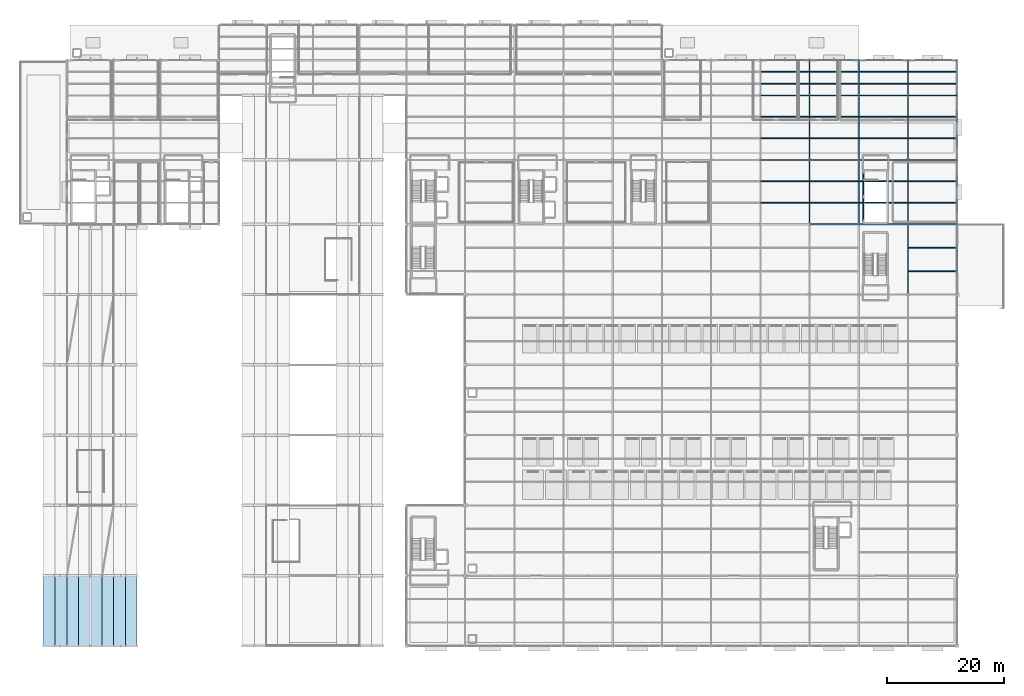
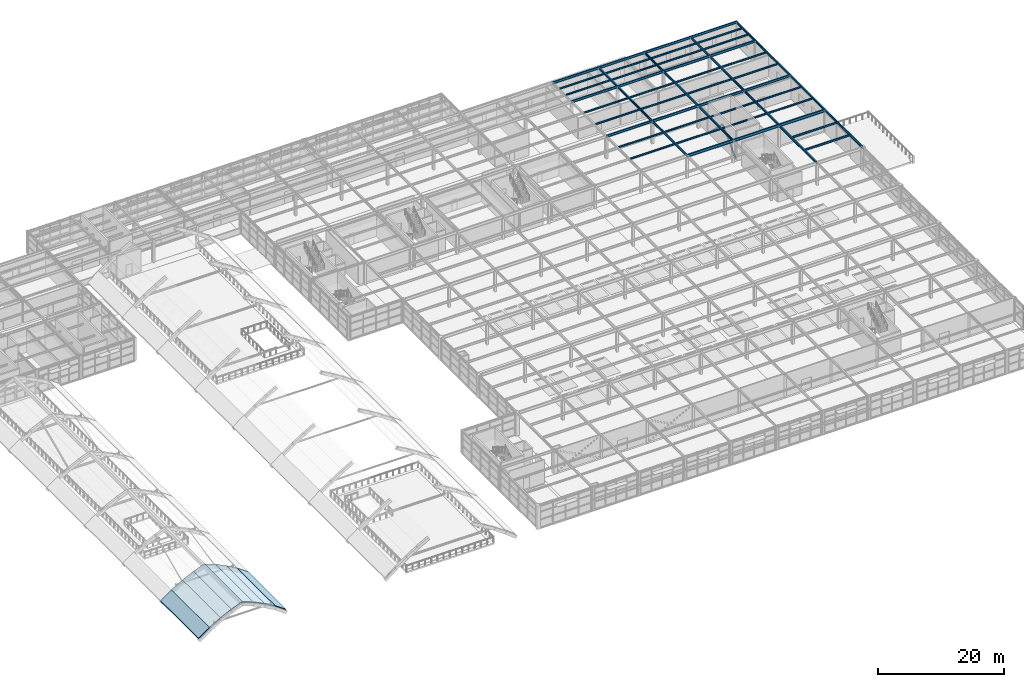
# One storey, part 43 of 82: 55 beams, 8 slabs, 2 members.
"""IFC4 building model written with IfcOpenShell, lengths in metres."""

from ifc_helpers import new_model, si_unit, direction, frame, origin, origin_2d, place, context, subcontext, project, spatial, polyline, hollow_circle, i_section, outline, extrude, material, layer, layer_set, material_profile, profile_set, type_object, element, save


model = new_model("IFC4")

# Units and contexts
model_context = context("Model", 3, precision=1e-05, world=origin(), true_north=direction((0.0, 1.0)))
body_context = subcontext(model_context, "Body", "Model", "MODEL_VIEW")
ifc_project = project(units=[si_unit("LENGTHUNIT", "METRE"), si_unit("AREAUNIT", "SQUARE_METRE"), si_unit("VOLUMEUNIT", "CUBIC_METRE"), si_unit("PLANEANGLEUNIT", "RADIAN"), si_unit("MASSUNIT", "GRAM", prefix="KILO")], contexts=[model_context])

# Site, building, storey
site_placement = place(None, origin())
site = spatial("IfcSite", under=ifc_project, at=site_placement, CompositionType="ELEMENT")
building_placement = place(site_placement, origin())
building = spatial("IfcBuilding", under=site, at=building_placement, Name="Sitalva Quay Ferry Terminal", CompositionType="ELEMENT")
storey_placement = place(building_placement, frame((0.0, 0.0, 5.39990234375)))
storey = spatial("IfcBuildingStorey", under=building, at=storey_placement, Name="L02", CompositionType="ELEMENT", Elevation=5.39990234375)

# Beams
ifc_material_1 = material(Name="Structural Steel S355JR", Category="steel")
ifc_material_profile_1 = material_profile(ifc_material_1, i_section(OverallWidth=0.180908203125, OverallDepth=0.4169921875, WebThickness=0.010986328125, FlangeThickness=0.018310546875, FilletRadius=0.012939453125, at=origin_2d()), Name="W410x85")
ifc_profile_set_1 = profile_set([ifc_material_profile_1], Name="Structural Steel S355JR")
beam_type_1 = type_object("IfcBeamType", Name="Beam_W410x85", PredefinedType="BEAM", material=ifc_profile_set_1)
for number, where, z_axis, x_axis, name in (
    (1, (142.800048828125, 78.0, 4.24169921875), (0.0, 1.0, 0.0), (-1.0, 0.0, 0.0), "L02 Primary Y girder 1087"),
    (2, (142.800048828125, 89.0, 4.24169921875), (0.0, 1.0, 0.0), (-1.0, 0.0, 0.0), "L02 Primary Y girder 1088"),
):
    element("IfcBeam", number, at=place(storey_placement, frame(where, z_axis=z_axis, x_axis=x_axis)), inside=storey, type_object=beam_type_1, Name=name, PredefinedType="BEAM", context=body_context, shape_type="SweptSolid", body=[
        extrude(i_section(OverallWidth=0.180908203125, OverallDepth=0.4169921875, WebThickness=0.010986328125, FlangeThickness=0.018310546875, FilletRadius=0.012939453125, at=origin_2d()), origin(), (0.0, 0.0, 1.0), 11.0),
    ])
beam_1_placement = place(storey_placement, frame((142.800048828125, 100.0, 4.24169921875), z_axis=(0.0, 1.0, 0.0), x_axis=(-1.0, 0.0, 0.0)))
element("IfcBeam", 3, at=beam_1_placement, inside=storey, type_object=beam_type_1, Name="L02 Primary Y girder 1089", PredefinedType="BEAM", context=body_context, shape_type="SweptSolid", body=[
    extrude(i_section(OverallWidth=0.180908203125, OverallDepth=0.4169921875, WebThickness=0.010986328125, FlangeThickness=0.018310546875, FilletRadius=0.012939453125, at=origin_2d()), origin(), (0.0, 0.0, 1.0), 6.0),
])
for number, where, z_axis, x_axis, name in (
    (4, (151.199951171875, 78.0, 4.24169921875), (0.0, 1.0, 0.0), (-1.0, 0.0, 0.0), "L02 Primary Y girder 1090"),
    (5, (151.199951171875, 89.0, 4.24169921875), (0.0, 1.0, 0.0), (-1.0, 0.0, 0.0), "L02 Primary Y girder 1091"),
):
    element("IfcBeam", number, at=place(storey_placement, frame(where, z_axis=z_axis, x_axis=x_axis)), inside=storey, type_object=beam_type_1, Name=name, PredefinedType="BEAM", context=body_context, shape_type="SweptSolid", body=[
        extrude(i_section(OverallWidth=0.180908203125, OverallDepth=0.4169921875, WebThickness=0.010986328125, FlangeThickness=0.018310546875, FilletRadius=0.012939453125, at=origin_2d()), origin(), (0.0, 0.0, 1.0), 11.0),
    ])
beam_2_placement = place(storey_placement, frame((151.199951171875, 100.0, 4.24169921875), z_axis=(0.0, 1.0, 0.0), x_axis=(-1.0, 0.0, 0.0)))
element("IfcBeam", 6, at=beam_2_placement, inside=storey, type_object=beam_type_1, Name="L02 Primary Y girder 1092", PredefinedType="BEAM", context=body_context, shape_type="SweptSolid", body=[
    extrude(i_section(OverallWidth=0.180908203125, OverallDepth=0.4169921875, WebThickness=0.010986328125, FlangeThickness=0.018310546875, FilletRadius=0.012939453125, at=origin_2d()), origin(), (0.0, 0.0, 1.0), 6.0),
])
for number, where, z_axis, x_axis, name in (
    (7, (159.60009765625, 78.0, 4.24169921875), (0.0, 1.0, 0.0), (-1.0, 0.0, 0.0), "L02 Primary Y girder 1093"),
    (8, (159.60009765625, 89.0, 4.24169921875), (0.0, 1.0, 0.0), (-1.0, 0.0, 0.0), "L02 Primary Y girder 1094"),
):
    element("IfcBeam", number, at=place(storey_placement, frame(where, z_axis=z_axis, x_axis=x_axis)), inside=storey, type_object=beam_type_1, Name=name, PredefinedType="BEAM", context=body_context, shape_type="SweptSolid", body=[
        extrude(i_section(OverallWidth=0.180908203125, OverallDepth=0.4169921875, WebThickness=0.010986328125, FlangeThickness=0.018310546875, FilletRadius=0.012939453125, at=origin_2d()), origin(), (0.0, 0.0, 1.0), 11.0),
    ])
beam_3_placement = place(storey_placement, frame((159.60009765625, 100.0, 4.24169921875), z_axis=(0.0, 1.0, 0.0), x_axis=(-1.0, 0.0, 0.0)))
element("IfcBeam", 9, at=beam_3_placement, inside=storey, type_object=beam_type_1, Name="L02 Primary Y girder 1095", PredefinedType="BEAM", context=body_context, shape_type="SweptSolid", body=[
    extrude(i_section(OverallWidth=0.180908203125, OverallDepth=0.4169921875, WebThickness=0.010986328125, FlangeThickness=0.018310546875, FilletRadius=0.012939453125, at=origin_2d()), origin(), (0.0, 0.0, 1.0), 6.0),
])
for number, where, z_axis, x_axis, name in (
    (10, (168.0, 78.0, 4.24169921875), (0.0, 1.0, 0.0), (-1.0, 0.0, 0.0), "L02 Primary Y girder 1096"),
    (11, (168.0, 89.0, 4.24169921875), (0.0, 1.0, 0.0), (-1.0, 0.0, 0.0), "L02 Primary Y girder 1097"),
):
    element("IfcBeam", number, at=place(storey_placement, frame(where, z_axis=z_axis, x_axis=x_axis)), inside=storey, type_object=beam_type_1, Name=name, PredefinedType="BEAM", context=body_context, shape_type="SweptSolid", body=[
        extrude(i_section(OverallWidth=0.180908203125, OverallDepth=0.4169921875, WebThickness=0.010986328125, FlangeThickness=0.018310546875, FilletRadius=0.012939453125, at=origin_2d()), origin(), (0.0, 0.0, 1.0), 11.0),
    ])
beam_4_placement = place(storey_placement, frame((168.0, 100.0, 4.24169921875), z_axis=(0.0, 1.0, 0.0), x_axis=(-1.0, 0.0, 0.0)))
element("IfcBeam", 12, at=beam_4_placement, inside=storey, type_object=beam_type_1, Name="L02 Primary Y girder 1098", PredefinedType="BEAM", context=body_context, shape_type="SweptSolid", body=[
    extrude(i_section(OverallWidth=0.180908203125, OverallDepth=0.4169921875, WebThickness=0.010986328125, FlangeThickness=0.018310546875, FilletRadius=0.012939453125, at=origin_2d()), origin(), (0.0, 0.0, 1.0), 6.0),
])
ifc_material_2 = material(Name="Structural Steel S355JR", Category="steel")
ifc_material_profile_2 = material_profile(ifc_material_2, i_section(OverallWidth=0.19091796875, OverallDepth=0.4599609375, WebThickness=0.010009765625, FlangeThickness=0.01611328125, FilletRadius=0.013916015625, at=origin_2d()), Name="W460x82")
ifc_profile_set_2 = profile_set([ifc_material_profile_2], Name="Structural Steel S355JR")
beam_type_2 = type_object("IfcBeamType", Name="Beam_W460x82", PredefinedType="BEAM", material=ifc_profile_set_2)
for number, where, z_axis, x_axis, name in (
    (13, (159.60009765625, 66.0, 4.22021484375), (0.0, 1.0, 0.0), (-1.0, 0.0, 0.0), "L02 Primary Y girder 0856"),
    (14, (168.0, 66.0, 4.22021484375), (0.0, 1.0, 0.0), (-1.0, 0.0, 0.0), "L02 Primary Y girder 0861"),
):
    element("IfcBeam", number, at=place(storey_placement, frame(where, z_axis=z_axis, x_axis=x_axis)), inside=storey, type_object=beam_type_2, Name=name, PredefinedType="BEAM", context=body_context, shape_type="SweptSolid", body=[
        extrude(i_section(OverallWidth=0.19091796875, OverallDepth=0.4599609375, WebThickness=0.010009765625, FlangeThickness=0.01611328125, FilletRadius=0.013916015625, at=origin_2d()), origin(), (0.0, 0.0, 1.0), 12.0),
    ])
beam_5_placement = place(storey_placement, frame((134.39990234375, 89.0, 4.22021484375), z_axis=(1.0, 0.0, 0.0), x_axis=(0.0, 1.0, 0.0)))
element("IfcBeam", 15, at=beam_5_placement, inside=storey, type_object=beam_type_2, Name="L02 Primary X girder 1070", PredefinedType="BEAM", context=body_context, shape_type="SweptSolid", body=[
    extrude(i_section(OverallWidth=0.19091796875, OverallDepth=0.4599609375, WebThickness=0.010009765625, FlangeThickness=0.01611328125, FilletRadius=0.013916015625, at=origin_2d()), origin(), (0.0, 0.0, 1.0), 8.400146484375),
])
beam_6_placement = place(storey_placement, frame((142.800048828125, 89.0, 4.22021484375), z_axis=(1.0, 0.0, 0.0), x_axis=(0.0, 1.0, 0.0)))
element("IfcBeam", 16, at=beam_6_placement, inside=storey, type_object=beam_type_2, Name="L02 Primary X girder 1071", PredefinedType="BEAM", context=body_context, shape_type="SweptSolid", body=[
    extrude(i_section(OverallWidth=0.19091796875, OverallDepth=0.4599609375, WebThickness=0.010009765625, FlangeThickness=0.01611328125, FilletRadius=0.013916015625, at=origin_2d()), origin(), (0.0, 0.0, 1.0), 8.39990234375),
])
beam_7_placement = place(storey_placement, frame((151.199951171875, 89.0, 4.22021484375), z_axis=(1.0, 0.0, 0.0), x_axis=(0.0, 1.0, 0.0)))
element("IfcBeam", 17, at=beam_7_placement, inside=storey, type_object=beam_type_2, Name="L02 Primary X girder 1072", PredefinedType="BEAM", context=body_context, shape_type="SweptSolid", body=[
    extrude(i_section(OverallWidth=0.19091796875, OverallDepth=0.4599609375, WebThickness=0.010009765625, FlangeThickness=0.01611328125, FilletRadius=0.013916015625, at=origin_2d()), origin(), (0.0, 0.0, 1.0), 8.400146484375),
])
beam_8_placement = place(storey_placement, frame((159.60009765625, 89.0, 4.22021484375), z_axis=(1.0, 0.0, 0.0), x_axis=(0.0, 1.0, 0.0)))
element("IfcBeam", 18, at=beam_8_placement, inside=storey, type_object=beam_type_2, Name="L02 Primary X girder 1073", PredefinedType="BEAM", context=body_context, shape_type="SweptSolid", body=[
    extrude(i_section(OverallWidth=0.19091796875, OverallDepth=0.4599609375, WebThickness=0.010009765625, FlangeThickness=0.01611328125, FilletRadius=0.013916015625, at=origin_2d()), origin(), (0.0, 0.0, 1.0), 8.39990234375),
])
beam_9_placement = place(storey_placement, frame((134.39990234375, 100.0, 4.22021484375), z_axis=(1.0, 0.0, 0.0), x_axis=(0.0, 1.0, 0.0)))
element("IfcBeam", 19, at=beam_9_placement, inside=storey, type_object=beam_type_2, Name="L02 Primary X girder 1075", PredefinedType="BEAM", context=body_context, shape_type="SweptSolid", body=[
    extrude(i_section(OverallWidth=0.19091796875, OverallDepth=0.4599609375, WebThickness=0.010009765625, FlangeThickness=0.01611328125, FilletRadius=0.013916015625, at=origin_2d()), origin(), (0.0, 0.0, 1.0), 8.400146484375),
])
beam_10_placement = place(storey_placement, frame((142.800048828125, 100.0, 4.22021484375), z_axis=(1.0, 0.0, 0.0), x_axis=(0.0, 1.0, 0.0)))
element("IfcBeam", 20, at=beam_10_placement, inside=storey, type_object=beam_type_2, Name="L02 Primary X girder 1076", PredefinedType="BEAM", context=body_context, shape_type="SweptSolid", body=[
    extrude(i_section(OverallWidth=0.19091796875, OverallDepth=0.4599609375, WebThickness=0.010009765625, FlangeThickness=0.01611328125, FilletRadius=0.013916015625, at=origin_2d()), origin(), (0.0, 0.0, 1.0), 8.39990234375),
])
beam_11_placement = place(storey_placement, frame((151.199951171875, 100.0, 4.22021484375), z_axis=(1.0, 0.0, 0.0), x_axis=(0.0, 1.0, 0.0)))
element("IfcBeam", 21, at=beam_11_placement, inside=storey, type_object=beam_type_2, Name="L02 Primary X girder 1077", PredefinedType="BEAM", context=body_context, shape_type="SweptSolid", body=[
    extrude(i_section(OverallWidth=0.19091796875, OverallDepth=0.4599609375, WebThickness=0.010009765625, FlangeThickness=0.01611328125, FilletRadius=0.013916015625, at=origin_2d()), origin(), (0.0, 0.0, 1.0), 8.400146484375),
])
beam_12_placement = place(storey_placement, frame((159.60009765625, 100.0, 4.22021484375), z_axis=(1.0, 0.0, 0.0), x_axis=(0.0, 1.0, 0.0)))
element("IfcBeam", 22, at=beam_12_placement, inside=storey, type_object=beam_type_2, Name="L02 Primary X girder 1078", PredefinedType="BEAM", context=body_context, shape_type="SweptSolid", body=[
    extrude(i_section(OverallWidth=0.19091796875, OverallDepth=0.4599609375, WebThickness=0.010009765625, FlangeThickness=0.01611328125, FilletRadius=0.013916015625, at=origin_2d()), origin(), (0.0, 0.0, 1.0), 8.39990234375),
])
beam_13_placement = place(storey_placement, frame((134.39990234375, 106.0, 4.22021484375), z_axis=(1.0, 0.0, 0.0), x_axis=(0.0, 1.0, 0.0)))
element("IfcBeam", 23, at=beam_13_placement, inside=storey, type_object=beam_type_2, Name="L02 Primary X girder 1080", PredefinedType="BEAM", context=body_context, shape_type="SweptSolid", body=[
    extrude(i_section(OverallWidth=0.19091796875, OverallDepth=0.4599609375, WebThickness=0.010009765625, FlangeThickness=0.01611328125, FilletRadius=0.013916015625, at=origin_2d()), origin(), (0.0, 0.0, 1.0), 8.400146484375),
])
beam_14_placement = place(storey_placement, frame((142.800048828125, 106.0, 4.22021484375), z_axis=(1.0, 0.0, 0.0), x_axis=(0.0, 1.0, 0.0)))
element("IfcBeam", 24, at=beam_14_placement, inside=storey, type_object=beam_type_2, Name="L02 Primary X girder 1081", PredefinedType="BEAM", context=body_context, shape_type="SweptSolid", body=[
    extrude(i_section(OverallWidth=0.19091796875, OverallDepth=0.4599609375, WebThickness=0.010009765625, FlangeThickness=0.01611328125, FilletRadius=0.013916015625, at=origin_2d()), origin(), (0.0, 0.0, 1.0), 8.39990234375),
])
beam_15_placement = place(storey_placement, frame((151.199951171875, 106.0, 4.22021484375), z_axis=(1.0, 0.0, 0.0), x_axis=(0.0, 1.0, 0.0)))
element("IfcBeam", 25, at=beam_15_placement, inside=storey, type_object=beam_type_2, Name="L02 Primary X girder 1082", PredefinedType="BEAM", context=body_context, shape_type="SweptSolid", body=[
    extrude(i_section(OverallWidth=0.19091796875, OverallDepth=0.4599609375, WebThickness=0.010009765625, FlangeThickness=0.01611328125, FilletRadius=0.013916015625, at=origin_2d()), origin(), (0.0, 0.0, 1.0), 8.400146484375),
])
beam_16_placement = place(storey_placement, frame((159.60009765625, 106.0, 4.22021484375), z_axis=(1.0, 0.0, 0.0), x_axis=(0.0, 1.0, 0.0)))
element("IfcBeam", 26, at=beam_16_placement, inside=storey, type_object=beam_type_2, Name="L02 Primary X girder 1083", PredefinedType="BEAM", context=body_context, shape_type="SweptSolid", body=[
    extrude(i_section(OverallWidth=0.19091796875, OverallDepth=0.4599609375, WebThickness=0.010009765625, FlangeThickness=0.01611328125, FilletRadius=0.013916015625, at=origin_2d()), origin(), (0.0, 0.0, 1.0), 8.39990234375),
])

# Members
ifc_material_3 = material(Name="Structural Steel S355JR", Category="steel")
ifc_material_profile_3 = material_profile(ifc_material_3, hollow_circle(Radius=0.136474609375, WallThickness=0.010009765625, at=origin_2d()), Name="CHS273x10")
ifc_profile_set_3 = profile_set([ifc_material_profile_3], Name="Structural Steel S355JR")
member_type = type_object("IfcMemberType", Name="Brace_CHS273x10", PredefinedType="BRACE", material=ifc_profile_set_3)
for number, where, z_axis, x_axis, name in (
    (27, (152.0, 78.550048828125, 0.150146484375), (0.0, 0.713101275811, 0.701061031891), (-1.0, 0.0, 0.0), "Braced frame BF4 L02 chevron A"),
    (28, (152.0, 82.699951171875, 4.22998046875), (0.0, 0.713121893765, -0.701040059221), (-1.0, 0.0, 0.0), "Braced frame BF4 L02 chevron B"),
):
    element("IfcMember", number, at=place(storey_placement, frame(where, z_axis=z_axis, x_axis=x_axis)), inside=storey, type_object=member_type, Name=name, PredefinedType="BRACE", context=body_context, shape_type="SweptSolid", body=[
        extrude(hollow_circle(Radius=0.136474609375, WallThickness=0.010009765625, at=origin_2d()), origin(), (0.0, 0.0, 1.0), 5.819580078125),
    ])

# Beams
ifc_material_4 = material(Name="Structural Steel S355JR", Category="steel")
ifc_material_profile_4 = material_profile(ifc_material_4, i_section(OverallWidth=0.2119140625, OverallDepth=0.5439453125, WebThickness=0.01318359375, FlangeThickness=0.021240234375, FilletRadius=0.014892578125, at=origin_2d()), Name="W530x123")
ifc_profile_set_4 = profile_set([ifc_material_profile_4], Name="Structural Steel S355JR")
beam_type_3 = type_object("IfcBeamType", Name="Girder_W530x123", PredefinedType="USERDEFINED", material=ifc_profile_set_4)
beam_17_placement = place(storey_placement, frame((142.800048828125, 78.0, 4.177978515625), z_axis=(1.0, 0.0, 0.0), x_axis=(0.0, 1.0, 0.0)))
element("IfcBeam", 29, at=beam_17_placement, inside=storey, type_object=beam_type_3, Name="L02 Primary X girder 0806", ObjectType="GIRDER", PredefinedType="USERDEFINED", context=body_context, shape_type="SweptSolid", body=[
    extrude(i_section(OverallWidth=0.2119140625, OverallDepth=0.5439453125, WebThickness=0.01318359375, FlangeThickness=0.021240234375, FilletRadius=0.014892578125, at=origin_2d()), origin(), (0.0, 0.0, 1.0), 8.39990234375),
])
beam_18_placement = place(storey_placement, frame((151.199951171875, 78.0, 4.177978515625), z_axis=(1.0, 0.0, 0.0), x_axis=(0.0, 1.0, 0.0)))
element("IfcBeam", 30, at=beam_18_placement, inside=storey, type_object=beam_type_3, Name="L02 Primary X girder 0807", ObjectType="GIRDER", PredefinedType="USERDEFINED", context=body_context, shape_type="SweptSolid", body=[
    extrude(i_section(OverallWidth=0.2119140625, OverallDepth=0.5439453125, WebThickness=0.01318359375, FlangeThickness=0.021240234375, FilletRadius=0.014892578125, at=origin_2d()), origin(), (0.0, 0.0, 1.0), 8.400146484375),
])
beam_19_placement = place(storey_placement, frame((159.60009765625, 78.0, 4.177978515625), z_axis=(1.0, 0.0, 0.0), x_axis=(0.0, 1.0, 0.0)))
element("IfcBeam", 31, at=beam_19_placement, inside=storey, type_object=beam_type_3, Name="L02 Primary X girder 0808", ObjectType="GIRDER", PredefinedType="USERDEFINED", context=body_context, shape_type="SweptSolid", body=[
    extrude(i_section(OverallWidth=0.2119140625, OverallDepth=0.5439453125, WebThickness=0.01318359375, FlangeThickness=0.021240234375, FilletRadius=0.014892578125, at=origin_2d()), origin(), (0.0, 0.0, 1.0), 8.39990234375),
])
ifc_material_5 = material(Name="Structural Steel S355JR", Category="steel")
ifc_material_profile_5 = material_profile(ifc_material_5, i_section(OverallWidth=0.166015625, OverallDepth=0.31298828125, WebThickness=0.006591796875, FlangeThickness=0.01123046875, FilletRadius=0.010986328125, at=origin_2d()), Name="W310x45")
ifc_profile_set_5 = profile_set([ifc_material_profile_5], Name="Structural Steel S355JR")
beam_type_4 = type_object("IfcBeamType", Name="Joist_W310x45", PredefinedType="JOIST", material=ifc_profile_set_5)
beam_20_placement = place(storey_placement, frame((134.490478515625, 81.666748046875, 4.293701171875), z_axis=(1.0, 0.0, 0.0), x_axis=(0.0, 1.0, 0.0)))
element("IfcBeam", 32, at=beam_20_placement, inside=storey, type_object=beam_type_4, Name="L02 Secondary joist 1100", PredefinedType="JOIST", context=body_context, shape_type="SweptSolid", body=[
    extrude(i_section(OverallWidth=0.166015625, OverallDepth=0.31298828125, WebThickness=0.006591796875, FlangeThickness=0.01123046875, FilletRadius=0.010986328125, at=origin_2d()), origin(), (0.0, 0.0, 1.0), 8.218994140625),
])
beam_21_placement = place(storey_placement, frame((142.890380859375, 81.666748046875, 4.293701171875), z_axis=(1.0, 0.0, 0.0), x_axis=(0.0, 1.0, 0.0)))
element("IfcBeam", 33, at=beam_21_placement, inside=storey, type_object=beam_type_4, Name="L02 Secondary joist 1101", PredefinedType="JOIST", context=body_context, shape_type="SweptSolid", body=[
    extrude(i_section(OverallWidth=0.166015625, OverallDepth=0.31298828125, WebThickness=0.006591796875, FlangeThickness=0.01123046875, FilletRadius=0.010986328125, at=origin_2d()), origin(), (0.0, 0.0, 1.0), 8.21923828125),
])
for number, where, z_axis, x_axis, name in (
    (34, (151.29052734375, 81.666748046875, 4.293701171875), (1.0, 0.0, 0.0), (0.0, 1.0, 0.0), "L02 Secondary joist 1102"),
    (35, (159.6904296875, 81.666748046875, 4.293701171875), (1.0, 0.0, 0.0), (0.0, 1.0, 0.0), "L02 Secondary joist 1103"),
    (36, (134.490478515625, 85.333251953125, 4.293701171875), (1.0, 0.0, 0.0), (0.0, 1.0, 0.0), "L02 Secondary joist 1105"),
):
    element("IfcBeam", number, at=place(storey_placement, frame(where, z_axis=z_axis, x_axis=x_axis)), inside=storey, type_object=beam_type_4, Name=name, PredefinedType="JOIST", context=body_context, shape_type="SweptSolid", body=[
        extrude(i_section(OverallWidth=0.166015625, OverallDepth=0.31298828125, WebThickness=0.006591796875, FlangeThickness=0.01123046875, FilletRadius=0.010986328125, at=origin_2d()), origin(), (0.0, 0.0, 1.0), 8.218994140625),
    ])
beam_22_placement = place(storey_placement, frame((142.890380859375, 85.333251953125, 4.293701171875), z_axis=(1.0, 0.0, 0.0), x_axis=(0.0, 1.0, 0.0)))
element("IfcBeam", 37, at=beam_22_placement, inside=storey, type_object=beam_type_4, Name="L02 Secondary joist 1106", PredefinedType="JOIST", context=body_context, shape_type="SweptSolid", body=[
    extrude(i_section(OverallWidth=0.166015625, OverallDepth=0.31298828125, WebThickness=0.006591796875, FlangeThickness=0.01123046875, FilletRadius=0.010986328125, at=origin_2d()), origin(), (0.0, 0.0, 1.0), 8.21923828125),
])
for number, where, z_axis, x_axis, name in (
    (38, (151.29052734375, 85.333251953125, 4.293701171875), (1.0, 0.0, 0.0), (0.0, 1.0, 0.0), "L02 Secondary joist 1107"),
    (39, (159.6904296875, 85.333251953125, 4.293701171875), (1.0, 0.0, 0.0), (0.0, 1.0, 0.0), "L02 Secondary joist 1108"),
    (40, (134.490478515625, 92.666748046875, 4.293701171875), (1.0, 0.0, 0.0), (0.0, 1.0, 0.0), "L02 Secondary joist 1110"),
):
    element("IfcBeam", number, at=place(storey_placement, frame(where, z_axis=z_axis, x_axis=x_axis)), inside=storey, type_object=beam_type_4, Name=name, PredefinedType="JOIST", context=body_context, shape_type="SweptSolid", body=[
        extrude(i_section(OverallWidth=0.166015625, OverallDepth=0.31298828125, WebThickness=0.006591796875, FlangeThickness=0.01123046875, FilletRadius=0.010986328125, at=origin_2d()), origin(), (0.0, 0.0, 1.0), 8.218994140625),
    ])
beam_23_placement = place(storey_placement, frame((142.890380859375, 92.666748046875, 4.293701171875), z_axis=(1.0, 0.0, 0.0), x_axis=(0.0, 1.0, 0.0)))
element("IfcBeam", 41, at=beam_23_placement, inside=storey, type_object=beam_type_4, Name="L02 Secondary joist 1111", PredefinedType="JOIST", context=body_context, shape_type="SweptSolid", body=[
    extrude(i_section(OverallWidth=0.166015625, OverallDepth=0.31298828125, WebThickness=0.006591796875, FlangeThickness=0.01123046875, FilletRadius=0.010986328125, at=origin_2d()), origin(), (0.0, 0.0, 1.0), 8.21923828125),
])
for number, where, z_axis, x_axis, name in (
    (42, (151.29052734375, 92.666748046875, 4.293701171875), (1.0, 0.0, 0.0), (0.0, 1.0, 0.0), "L02 Secondary joist 1112"),
    (43, (159.6904296875, 92.666748046875, 4.293701171875), (1.0, 0.0, 0.0), (0.0, 1.0, 0.0), "L02 Secondary joist 1113"),
    (44, (134.490478515625, 96.333251953125, 4.293701171875), (1.0, 0.0, 0.0), (0.0, 1.0, 0.0), "L02 Secondary joist 1115"),
):
    element("IfcBeam", number, at=place(storey_placement, frame(where, z_axis=z_axis, x_axis=x_axis)), inside=storey, type_object=beam_type_4, Name=name, PredefinedType="JOIST", context=body_context, shape_type="SweptSolid", body=[
        extrude(i_section(OverallWidth=0.166015625, OverallDepth=0.31298828125, WebThickness=0.006591796875, FlangeThickness=0.01123046875, FilletRadius=0.010986328125, at=origin_2d()), origin(), (0.0, 0.0, 1.0), 8.218994140625),
    ])
beam_24_placement = place(storey_placement, frame((142.890380859375, 96.333251953125, 4.293701171875), z_axis=(1.0, 0.0, 0.0), x_axis=(0.0, 1.0, 0.0)))
element("IfcBeam", 45, at=beam_24_placement, inside=storey, type_object=beam_type_4, Name="L02 Secondary joist 1116", PredefinedType="JOIST", context=body_context, shape_type="SweptSolid", body=[
    extrude(i_section(OverallWidth=0.166015625, OverallDepth=0.31298828125, WebThickness=0.006591796875, FlangeThickness=0.01123046875, FilletRadius=0.010986328125, at=origin_2d()), origin(), (0.0, 0.0, 1.0), 8.21923828125),
])
for number, where, z_axis, x_axis, name in (
    (46, (151.29052734375, 96.333251953125, 4.293701171875), (1.0, 0.0, 0.0), (0.0, 1.0, 0.0), "L02 Secondary joist 1117"),
    (47, (159.6904296875, 96.333251953125, 4.293701171875), (1.0, 0.0, 0.0), (0.0, 1.0, 0.0), "L02 Secondary joist 1118"),
    (48, (134.490478515625, 102.0, 4.293701171875), (1.0, 0.0, 0.0), (0.0, 1.0, 0.0), "L02 Secondary joist 1120"),
):
    element("IfcBeam", number, at=place(storey_placement, frame(where, z_axis=z_axis, x_axis=x_axis)), inside=storey, type_object=beam_type_4, Name=name, PredefinedType="JOIST", context=body_context, shape_type="SweptSolid", body=[
        extrude(i_section(OverallWidth=0.166015625, OverallDepth=0.31298828125, WebThickness=0.006591796875, FlangeThickness=0.01123046875, FilletRadius=0.010986328125, at=origin_2d()), origin(), (0.0, 0.0, 1.0), 8.218994140625),
    ])
beam_25_placement = place(storey_placement, frame((142.890380859375, 102.0, 4.293701171875), z_axis=(1.0, 0.0, 0.0), x_axis=(0.0, 1.0, 0.0)))
element("IfcBeam", 49, at=beam_25_placement, inside=storey, type_object=beam_type_4, Name="L02 Secondary joist 1121", PredefinedType="JOIST", context=body_context, shape_type="SweptSolid", body=[
    extrude(i_section(OverallWidth=0.166015625, OverallDepth=0.31298828125, WebThickness=0.006591796875, FlangeThickness=0.01123046875, FilletRadius=0.010986328125, at=origin_2d()), origin(), (0.0, 0.0, 1.0), 8.21923828125),
])
for number, where, z_axis, x_axis, name in (
    (50, (151.29052734375, 102.0, 4.293701171875), (1.0, 0.0, 0.0), (0.0, 1.0, 0.0), "L02 Secondary joist 1122"),
    (51, (159.6904296875, 102.0, 4.293701171875), (1.0, 0.0, 0.0), (0.0, 1.0, 0.0), "L02 Secondary joist 1123"),
    (52, (134.490478515625, 104.0, 4.293701171875), (1.0, 0.0, 0.0), (0.0, 1.0, 0.0), "L02 Secondary joist 1125"),
):
    element("IfcBeam", number, at=place(storey_placement, frame(where, z_axis=z_axis, x_axis=x_axis)), inside=storey, type_object=beam_type_4, Name=name, PredefinedType="JOIST", context=body_context, shape_type="SweptSolid", body=[
        extrude(i_section(OverallWidth=0.166015625, OverallDepth=0.31298828125, WebThickness=0.006591796875, FlangeThickness=0.01123046875, FilletRadius=0.010986328125, at=origin_2d()), origin(), (0.0, 0.0, 1.0), 8.218994140625),
    ])
beam_26_placement = place(storey_placement, frame((142.890380859375, 104.0, 4.293701171875), z_axis=(1.0, 0.0, 0.0), x_axis=(0.0, 1.0, 0.0)))
element("IfcBeam", 53, at=beam_26_placement, inside=storey, type_object=beam_type_4, Name="L02 Secondary joist 1126", PredefinedType="JOIST", context=body_context, shape_type="SweptSolid", body=[
    extrude(i_section(OverallWidth=0.166015625, OverallDepth=0.31298828125, WebThickness=0.006591796875, FlangeThickness=0.01123046875, FilletRadius=0.010986328125, at=origin_2d()), origin(), (0.0, 0.0, 1.0), 8.21923828125),
])
for number, where, z_axis, x_axis, name in (
    (54, (151.29052734375, 104.0, 4.293701171875), (1.0, 0.0, 0.0), (0.0, 1.0, 0.0), "L02 Secondary joist 1127"),
    (55, (159.6904296875, 104.0, 4.293701171875), (1.0, 0.0, 0.0), (0.0, 1.0, 0.0), "L02 Secondary joist 1128"),
):
    element("IfcBeam", number, at=place(storey_placement, frame(where, z_axis=z_axis, x_axis=x_axis)), inside=storey, type_object=beam_type_4, Name=name, PredefinedType="JOIST", context=body_context, shape_type="SweptSolid", body=[
        extrude(i_section(OverallWidth=0.166015625, OverallDepth=0.31298828125, WebThickness=0.006591796875, FlangeThickness=0.01123046875, FilletRadius=0.010986328125, at=origin_2d()), origin(), (0.0, 0.0, 1.0), 8.218994140625),
    ])
ifc_material_6 = material(Name="Structural Steel S355JR", Category="steel")
ifc_material_profile_6 = material_profile(ifc_material_6, i_section(OverallWidth=0.172119140625, OverallDepth=0.35791015625, WebThickness=0.0078125, FlangeThickness=0.01318359375, FilletRadius=0.011962890625, at=origin_2d()), Name="W360x57")
ifc_profile_set_6 = profile_set([ifc_material_profile_6], Name="Structural Steel S355JR")
beam_type_5 = type_object("IfcBeamType", Name="Joist_W360x57", PredefinedType="JOIST", material=ifc_profile_set_6)
for number, where, z_axis, x_axis, name in (
    (56, (159.695556640625, 70.0, 4.27099609375), (1.0, 0.0, 0.0), (0.0, 1.0, 0.0), "L02 Secondary joist 0948"),
    (57, (159.695556640625, 74.0, 4.27099609375), (1.0, 0.0, 0.0), (0.0, 1.0, 0.0), "L02 Secondary joist 0957"),
):
    element("IfcBeam", number, at=place(storey_placement, frame(where, z_axis=z_axis, x_axis=x_axis)), inside=storey, type_object=beam_type_5, Name=name, PredefinedType="JOIST", context=body_context, shape_type="SweptSolid", body=[
        extrude(i_section(OverallWidth=0.172119140625, OverallDepth=0.35791015625, WebThickness=0.0078125, FlangeThickness=0.01318359375, FilletRadius=0.011962890625, at=origin_2d()), origin(), (0.0, 0.0, 1.0), 8.208984375),
    ])

# Slabs
ifc_material_7 = material(Name="Concrete C40/50", Category="concrete")
ifc_layer = layer(ifc_material_7, 0.159912109375)
ifc_layer_set = layer_set([ifc_layer], Name="Concrete C40/50")
slab_type = type_object("IfcSlabType", Name="Slab_PointedVaultShell_160", PredefinedType="ROOF", material=ifc_layer_set)
slab_1_placement = place(storey_placement, frame((12.0, 6.0, 0.47802734375), z_axis=(-0.57671060442, 0.0, 0.816948516584), x_axis=(0.816948516584, 0.0, 0.57671060442)))
element("IfcSlab", 58, at=slab_1_placement, inside=storey, type_object=slab_type, Name="Vault V2 pointed shell facet B1-F3", PredefinedType="ROOF", context=body_context, shape_type="SweptSolid", body=[
    extrude(outline(polyline([(0.0, 0.0), (2.448134685844873, 0.0), (2.448134685844873, 12.0), (0.0, 12.0), (0.0, 0.0)])), origin(), (-0.57671060442, 0.0, -0.816948516584), 0.19580078125),
])
slab_2_placement = place(storey_placement, frame((14.0, 6.0, 1.889892578125), z_axis=(-0.505154322463, 0.0, 0.863029032245), x_axis=(0.863029032245, 0.0, 0.505154322463)))
element("IfcSlab", 59, at=slab_2_placement, inside=storey, type_object=slab_type, Name="Vault V2 pointed shell facet B1-F4", PredefinedType="ROOF", context=body_context, shape_type="SweptSolid", body=[
    extrude(outline(polyline([(0.0, 0.0), (2.3174191426653703, 0.0), (2.3174191426653703, 12.0), (0.0, 12.0), (0.0, 0.0)])), origin(), (-0.505154322463, 0.0, -0.863029032245), 0.185302734375),
])
slab_3_placement = place(storey_placement, frame((16.0, 6.0, 3.060546875), z_axis=(-0.433610556325, 0.0, 0.901100374788), x_axis=(0.901100374788, 0.0, 0.433610556325)))
element("IfcSlab", 60, at=slab_3_placement, inside=storey, type_object=slab_type, Name="Vault V2 pointed shell facet B1-F5", PredefinedType="ROOF", context=body_context, shape_type="SweptSolid", body=[
    extrude(outline(polyline([(0.0, 0.0), (2.2195085652584208, 0.0), (2.2195085652584208, 12.0), (0.0, 12.0), (0.0, 0.0)])), origin(), (-0.433610556325, 0.0, -0.901100374788), 0.177490234375),
])
slab_4_placement = place(storey_placement, frame((18.0, 6.0, 4.02294921875), z_axis=(-0.362171701685, 0.0, 0.932111398116), x_axis=(0.932111398116, 0.0, 0.362171701685)))
element("IfcSlab", 61, at=slab_4_placement, inside=storey, type_object=slab_type, Name="Vault V2 pointed shell facet B1-F6", PredefinedType="ROOF", context=body_context, shape_type="SweptSolid", body=[
    extrude(outline(polyline([(0.0, 0.0), (2.1456662841389798, 0.0), (2.1456662841389798, 12.0), (0.0, 12.0), (0.0, 0.0)])), origin(), (-0.362171701685, 0.0, -0.932111398116), 0.171630859375),
])
slab_5_placement = place(storey_placement, frame((20.0, 6.0, 4.800048828125), z_axis=(0.362171701685, 0.0, 0.932111398116), x_axis=(0.932111398116, 0.0, -0.362171701685)))
element("IfcSlab", 62, at=slab_5_placement, inside=storey, type_object=slab_type, Name="Vault V2 pointed shell facet B1-F7", PredefinedType="ROOF", context=body_context, shape_type="SweptSolid", body=[
    extrude(outline(polyline([(0.0, 0.0), (2.1456662841389798, 0.0), (2.1456662841389798, 12.0), (0.0, 12.0), (0.0, 0.0)])), origin(), (0.362171701685, 0.0, -0.932111398116), 0.171630859375),
])
slab_6_placement = place(storey_placement, frame((22.0, 6.0, 4.02294921875), z_axis=(0.433610556325, 0.0, 0.901100374788), x_axis=(0.901100374788, 0.0, -0.433610556325)))
element("IfcSlab", 63, at=slab_6_placement, inside=storey, type_object=slab_type, Name="Vault V2 pointed shell facet B1-F8", PredefinedType="ROOF", context=body_context, shape_type="SweptSolid", body=[
    extrude(outline(polyline([(0.0, 0.0), (2.2195085652584208, 0.0), (2.2195085652584208, 12.0), (0.0, 12.0), (0.0, 0.0)])), origin(), (0.433610556325, 0.0, -0.901100374788), 0.177490234375),
])
slab_7_placement = place(storey_placement, frame((24.0, 6.0, 3.060546875), z_axis=(0.505154322463, 0.0, 0.863029032245), x_axis=(0.863029032245, 0.0, -0.505154322463)))
element("IfcSlab", 64, at=slab_7_placement, inside=storey, type_object=slab_type, Name="Vault V2 pointed shell facet B1-F9", PredefinedType="ROOF", context=body_context, shape_type="SweptSolid", body=[
    extrude(outline(polyline([(0.0, 0.0), (2.3174191426653703, 0.0), (2.3174191426653703, 12.0), (0.0, 12.0), (0.0, 0.0)])), origin(), (0.505154322463, 0.0, -0.863029032245), 0.185302734375),
])
slab_8_placement = place(storey_placement, frame((26.0, 6.0, 1.889892578125), z_axis=(0.57671060442, 0.0, 0.816948516584), x_axis=(0.816948516584, 0.0, -0.57671060442)))
element("IfcSlab", 65, at=slab_8_placement, inside=storey, type_object=slab_type, Name="Vault V2 pointed shell facet B1-F10", PredefinedType="ROOF", context=body_context, shape_type="SweptSolid", body=[
    extrude(outline(polyline([(0.0, 0.0), (2.448134685844873, 0.0), (2.448134685844873, 12.0), (0.0, 12.0), (0.0, 0.0)])), origin(), (0.57671060442, 0.0, -0.816948516584), 0.19580078125),
])

save(model, "model.ifc")
